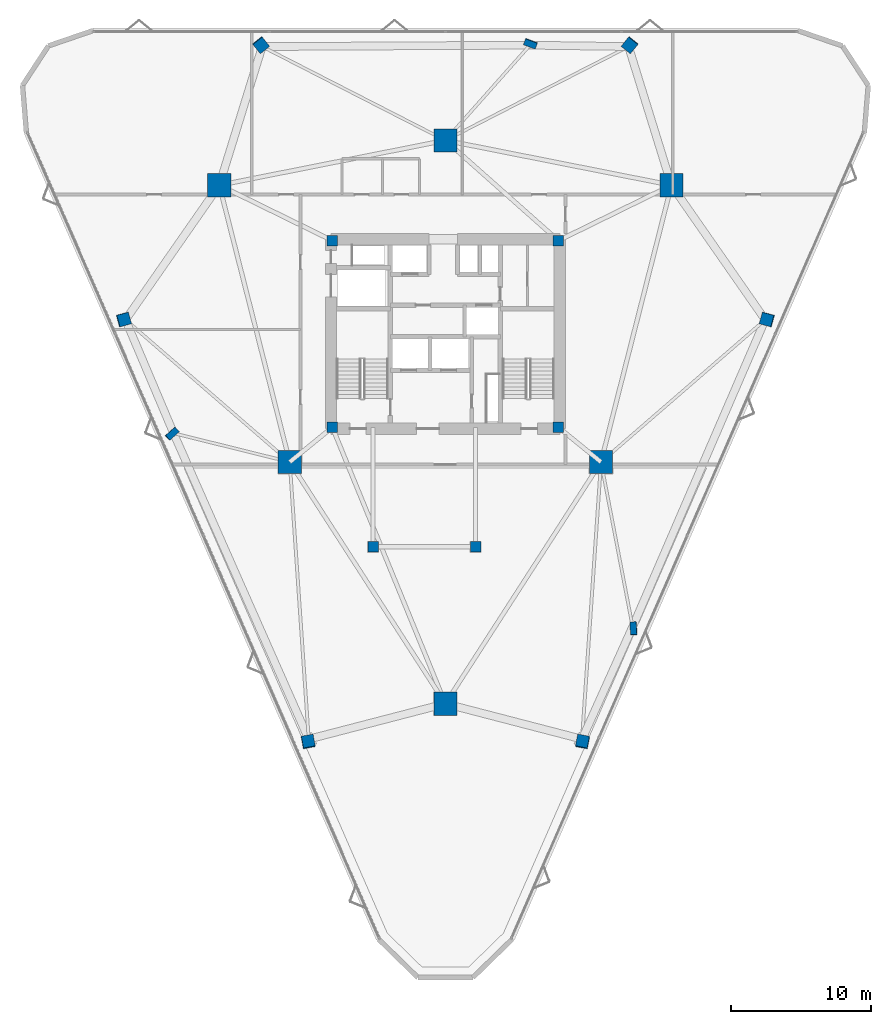
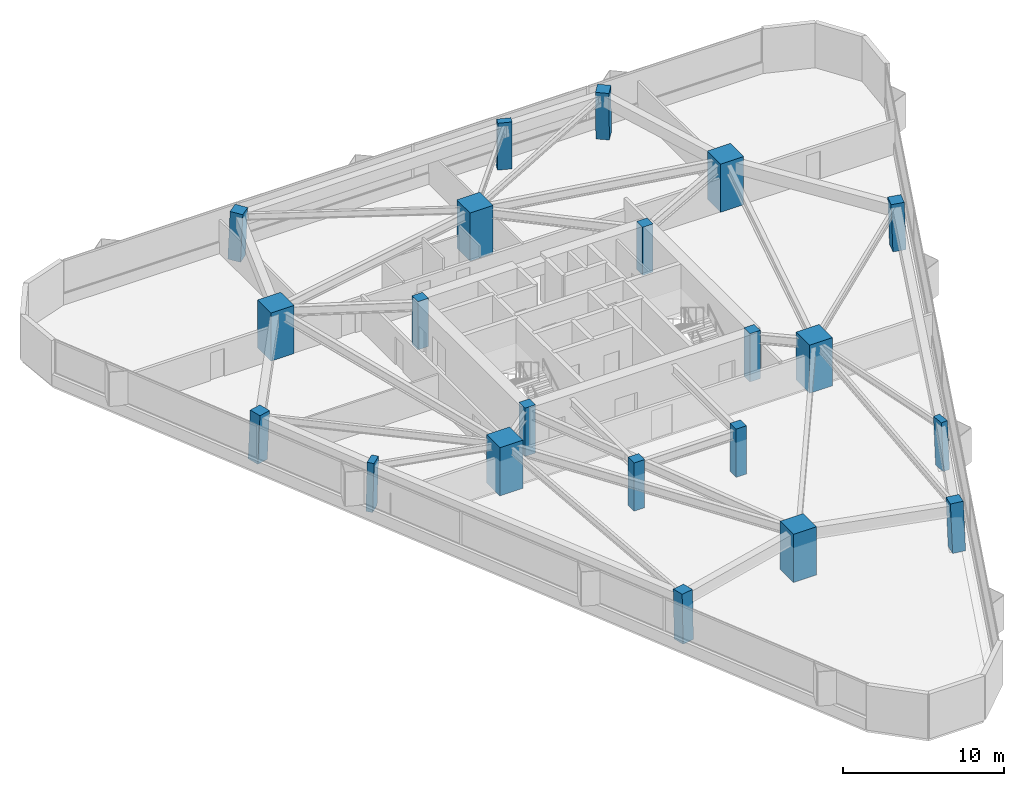
# One storey, part 1 of 15: 21 columns.
"""IFC4 building model written with IfcOpenShell, lengths in metres."""

from ifc_helpers import new_model, si_unit, direction, frame, origin, origin_2d, place, context, subcontext, project, spatial, rectangle, extrude, material, material_profile, profile_set, type_object, element, save


model = new_model("IFC4")

# Units and contexts
model_context = context("Model", 3, precision=1e-05, world=origin(), true_north=direction((0.0, 1.0)))
body_context = subcontext(model_context, "Body", "Model", "MODEL_VIEW")
ifc_project = project(units=[si_unit("LENGTHUNIT", "METRE"), si_unit("AREAUNIT", "SQUARE_METRE"), si_unit("VOLUMEUNIT", "CUBIC_METRE"), si_unit("PLANEANGLEUNIT", "RADIAN"), si_unit("MASSUNIT", "GRAM", prefix="KILO")], contexts=[model_context])

# Site, building, storey
site_placement = place(None, origin())
site = spatial("IfcSite", under=ifc_project, at=site_placement, CompositionType="ELEMENT")
building_placement = place(site_placement, origin())
building = spatial("IfcBuilding", under=site, at=building_placement, Name="Talyreon Biosciences Tower", CompositionType="ELEMENT")
storey_placement = place(building_placement, frame((0.0, 0.0, 111.5)))
storey = spatial("IfcBuildingStorey", under=building, at=storey_placement, Name="L29", CompositionType="ELEMENT", Elevation=111.5)

# Columns
ifc_material_1 = material(Name="Precast concrete C45/55", Category="concrete")
ifc_material_profile_1 = material_profile(ifc_material_1, rectangle(XDim=0.89990234375, YDim=0.449951171875, at=origin_2d()), Name="RC 900x450")
ifc_profile_set_1 = profile_set([ifc_material_profile_1], Name="Precast concrete C45/55")
column_type_1 = type_object("IfcColumnType", Name="FacadePilaster_900x450", PredefinedType="PILASTER", material=ifc_profile_set_1)
column_1_placement = place(storey_placement, frame((79.408203125, 47.00244140625, 0.0029296875), z_axis=(-0.019545044433, 0.038353802945, 0.999073058909), x_axis=(0.059048354409, -0.997475400839, 0.039447643318)))
element("IfcColumn", 1, at=column_1_placement, inside=storey, type_object=column_type_1, Name="L29 Facade Pilaster PL-SE", PredefinedType="PILASTER", context=body_context, shape_type="SweptSolid", body=[
    extrude(rectangle(XDim=0.89990234375, YDim=0.449951171875, at=origin_2d()), origin(), (0.0, 0.0, 1.0), 3.6474609375),
])
column_2_placement = place(storey_placement, frame((72.06640625, 88.692138671875, 0.0029296875), z_axis=(-0.01238655289, -0.033544124313, 0.999360478022), x_axis=(-0.9380871136, 0.346399433166, 0.0)))
element("IfcColumn", 2, at=column_2_placement, inside=storey, type_object=column_type_1, Name="L29 Facade Pilaster PL-N", PredefinedType="PILASTER", context=body_context, shape_type="SweptSolid", body=[
    extrude(rectangle(XDim=0.89990234375, YDim=0.449951171875, at=origin_2d()), origin(), (0.0, 0.0, 1.0), 3.646484375),
])
column_3_placement = place(storey_placement, frame((46.525390625, 60.890869140625, 0.0029296875), z_axis=(0.032006476949, 0.010512587617, 0.999432374368), x_axis=(0.745227642141, 0.666095098228, -0.030872018181)))
element("IfcColumn", 3, at=column_3_placement, inside=storey, type_object=column_type_1, Name="L29 Facade Pilaster PL-SW", PredefinedType="PILASTER", context=body_context, shape_type="SweptSolid", body=[
    extrude(rectangle(XDim=0.89990234375, YDim=0.449951171875, at=origin_2d()), origin(), (0.0, 0.0, 1.0), 3.64599609375),
])
ifc_material_2 = material(Name="Concrete C60/75", Category="concrete")
ifc_material_profile_2 = material_profile(ifc_material_2, rectangle(XDim=1.64990234375, YDim=1.64990234375, at=origin_2d()), Name="RC 1650x1650")
ifc_profile_set_2 = profile_set([ifc_material_profile_2], Name="Concrete C60/75")
column_type_2 = type_object("IfcColumnType", Name="MegaColumn_1650", PredefinedType="COLUMN", material=ifc_profile_set_2)
for number, where, z_axis, x_axis, name in (
    (4, (66.0, 41.6669921875, 0.0), (0.0, 0.0, 1.0), (1.0, 0.0, 0.0), "L29 Composite Mega-Column MC1"),
    (5, (82.102294921875, 78.5986328125, 0.0), (0.0, 0.0, 1.0), (1.0, 0.0, 0.0), "L29 Composite Mega-Column MC2"),
    (6, (49.897705078125, 78.5986328125, 0.0), (0.0, 0.0, 1.0), (1.0, 0.0, 0.0), "L29 Composite Mega-Column MC3"),
    (7, (77.086181640625, 58.88037109375, 0.0), (0.0, 0.0, 1.0), (1.0, 0.0, 0.0), "L29 Composite Mega-Column MC4"),
    (8, (66.0, 81.788818359375, 0.0), (0.0, 0.0, 1.0), (1.0, 0.0, 0.0), "L29 Composite Mega-Column MC5"),
    (9, (54.913818359375, 58.88037109375, 0.0), (0.0, 0.0, 1.0), (1.0, 0.0, 0.0), "L29 Composite Mega-Column MC6"),
):
    element("IfcColumn", number, at=place(storey_placement, frame(where, z_axis=z_axis, x_axis=x_axis)), inside=storey, type_object=column_type_2, Name=name, PredefinedType="COLUMN", context=body_context, shape_type="SweptSolid", body=[
        extrude(rectangle(XDim=1.64990234375, YDim=1.64990234375, at=origin_2d()), origin(), (0.0, 0.0, 1.0), 3.64990234375),
    ])
ifc_material_3 = material(Name="Concrete C50/60", Category="concrete")
ifc_material_profile_3 = material_profile(ifc_material_3, rectangle(XDim=0.75, YDim=0.75, at=origin_2d()), Name="RC 750x750")
ifc_profile_set_3 = profile_set([ifc_material_profile_3], Name="Concrete C50/60")
column_type_3 = type_object("IfcColumnType", Name="PerimeterColumn_750", PredefinedType="COLUMN", material=ifc_profile_set_3)
for number, where, z_axis, x_axis, name in (
    (10, (57.949951171875, 61.35009765625, 0.0), (0.0, 0.0, 1.0), (1.0, 0.0, 0.0), "L29 Core Column CC1"),
    (11, (74.050048828125, 61.35009765625, 0.0), (0.0, 0.0, 1.0), (1.0, 0.0, 0.0), "L29 Core Column CC2"),
    (12, (74.050048828125, 74.64990234375, 0.0), (0.0, 0.0, 1.0), (1.0, 0.0, 0.0), "L29 Core Column CC3"),
    (13, (57.949951171875, 74.64990234375, 0.0), (0.0, 0.0, 1.0), (1.0, 0.0, 0.0), "L29 Core Column CC4"),
    (14, (60.85009765625, 52.840087890625, 0.0), (0.0, 0.0, 1.0), (1.0, 0.0, 0.0), "L29 Core Column CSW"),
    (15, (68.14990234375, 52.840087890625, 0.0), (0.0, 0.0, 1.0), (1.0, 0.0, 0.0), "L29 Core Column CSE"),
):
    element("IfcColumn", number, at=place(storey_placement, frame(where, z_axis=z_axis, x_axis=x_axis)), inside=storey, type_object=column_type_3, Name=name, PredefinedType="COLUMN", context=body_context, shape_type="SweptSolid", body=[
        extrude(rectangle(XDim=0.75, YDim=0.75, at=origin_2d()), origin(), (0.0, 0.0, 1.0), 3.64990234375),
    ])
ifc_material_profile_4 = material_profile(ifc_material_2, rectangle(XDim=0.85009765625, YDim=0.85009765625, at=origin_2d()), Name="RC 850x850")
ifc_profile_set_4 = profile_set([ifc_material_profile_4], Name="Concrete C60/75")
column_type_4 = type_object("IfcColumnType", Name="PerimeterColumn_850", PredefinedType="COLUMN", material=ifc_profile_set_4)
column_4_placement = place(storey_placement, frame((75.77783203125, 38.94091796875, 0.0029296875), z_axis=(-0.012375096162, 0.054517315524, 0.998436136818), x_axis=(-0.187817319872, -0.980867030505, 0.051230096857)))
element("IfcColumn", 16, at=column_4_placement, inside=storey, type_object=column_type_4, Name="L29 Tapering Perimeter Column PC-SE1", PredefinedType="COLUMN", context=body_context, shape_type="SweptSolid", body=[
    extrude(rectangle(XDim=0.85009765625, YDim=0.85009765625, at=origin_2d()), origin(), (0.0, 0.0, 1.0), 3.649658203125),
])
column_5_placement = place(storey_placement, frame((88.921875, 69.032470703125, 0.0029296875), z_axis=(-0.039229493406, -0.00569028488, 0.999214024874), x_axis=(0.963647512503, -0.264695883637, 0.036325759897)))
element("IfcColumn", 17, at=column_5_placement, inside=storey, type_object=column_type_4, Name="L29 Tapering Perimeter Column PC-SE2", PredefinedType="COLUMN", context=body_context, shape_type="SweptSolid", body=[
    extrude(rectangle(XDim=0.85009765625, YDim=0.85009765625, at=origin_2d()), origin(), (0.0, 0.0, 1.0), 3.64697265625),
])
for number, where, z_axis, x_axis, name in (
    (18, (79.14404296875, 88.592041015625, 0.0029296875), (-0.026907963191, -0.033534551141, 0.999075270136), (-0.779956681152, 0.625833504637, 0.0), "L29 Tapering Perimeter Column PC-N1"),
    (19, (52.85595703125, 88.592041015625, 0.0029296875), (0.026907963191, -0.033534551141, 0.999075270136), (-0.779956681152, -0.625833504637, 0.0), "L29 Tapering Perimeter Column PC-N2"),
):
    element("IfcColumn", number, at=place(storey_placement, frame(where, z_axis=z_axis, x_axis=x_axis)), inside=storey, type_object=column_type_4, Name=name, PredefinedType="COLUMN", context=body_context, shape_type="SweptSolid", body=[
        extrude(rectangle(XDim=0.85009765625, YDim=0.85009765625, at=origin_2d()), origin(), (0.0, 0.0, 1.0), 3.6474609375),
    ])
column_6_placement = place(storey_placement, frame((43.078125, 69.032470703125, 0.0029296875), z_axis=(0.039229493406, -0.00569028488, 0.999214024874), x_axis=(0.963647512503, 0.264695883637, -0.036325759897)))
element("IfcColumn", 20, at=column_6_placement, inside=storey, type_object=column_type_4, Name="L29 Tapering Perimeter Column PC-SW1", PredefinedType="COLUMN", context=body_context, shape_type="SweptSolid", body=[
    extrude(rectangle(XDim=0.85009765625, YDim=0.85009765625, at=origin_2d()), origin(), (0.0, 0.0, 1.0), 3.64697265625),
])
column_7_placement = place(storey_placement, frame((56.22216796875, 38.94091796875, 0.0029296875), z_axis=(0.012308213911, 0.054517360531, 0.99843696109), x_axis=(-0.188961871869, 0.98064788298, -0.051216604596)))
element("IfcColumn", 21, at=column_7_placement, inside=storey, type_object=column_type_4, Name="L29 Tapering Perimeter Column PC-SW2", PredefinedType="COLUMN", context=body_context, shape_type="SweptSolid", body=[
    extrude(rectangle(XDim=0.85009765625, YDim=0.85009765625, at=origin_2d()), origin(), (0.0, 0.0, 1.0), 3.649658203125),
])

save(model, "model.ifc")
